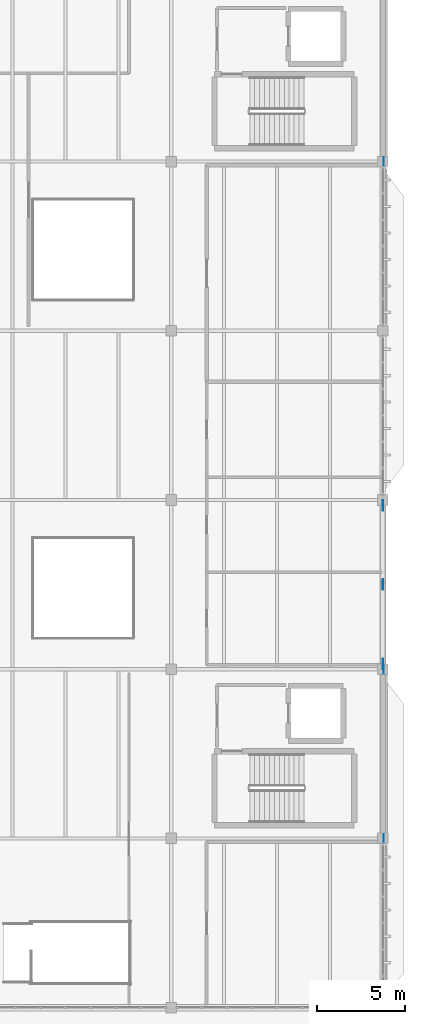
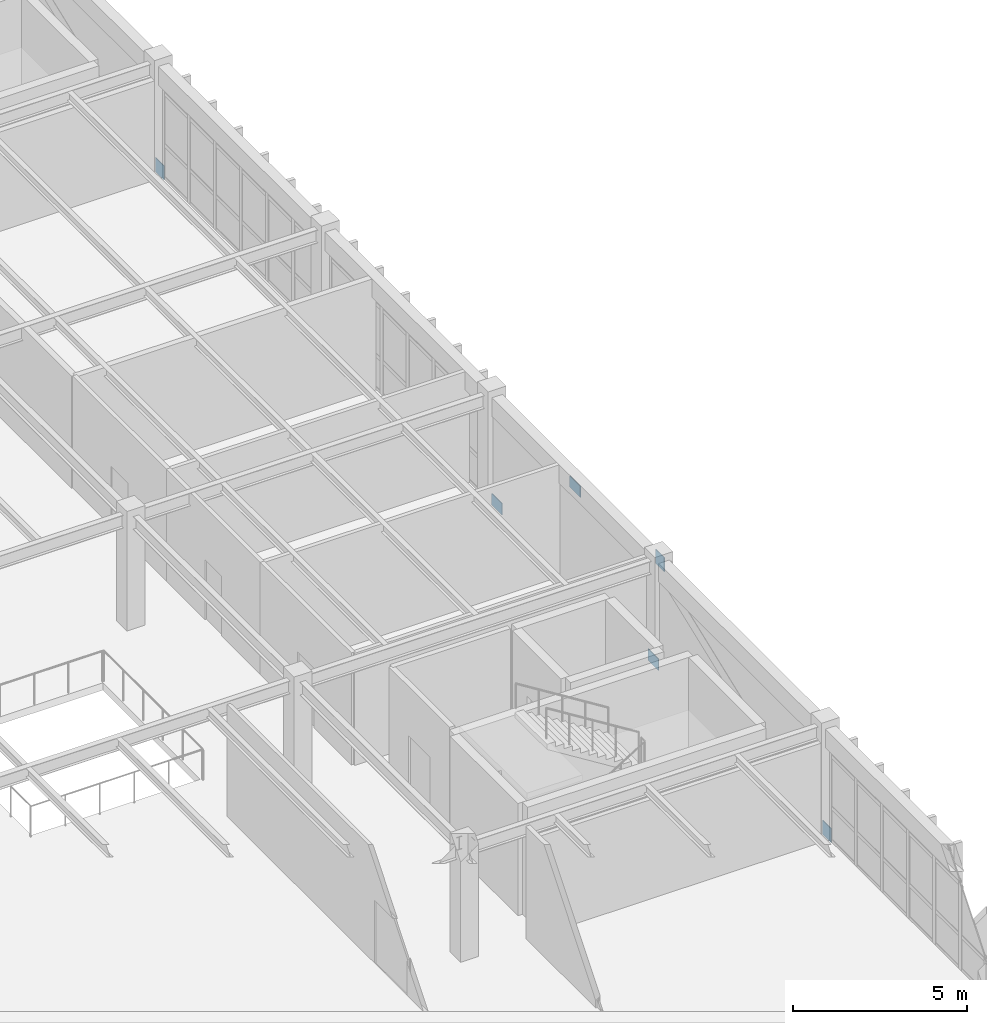
# One storey, part 70 of 83: 6 plates.
"""IFC4 building model written with IfcOpenShell, lengths in metres."""

from ifc_helpers import new_model, si_unit, direction, frame, origin, origin_2d, place, context, subcontext, project, spatial, rectangle, extrude, material, layer, layer_set, type_object, element, save


model = new_model("IFC4")

# Units and contexts
model_context = context("Model", 3, precision=1e-05, world=origin(), true_north=direction((0.0, 1.0)))
body_context = subcontext(model_context, "Body", "Model", "MODEL_VIEW")
ifc_project = project(units=[si_unit("LENGTHUNIT", "METRE"), si_unit("AREAUNIT", "SQUARE_METRE"), si_unit("VOLUMEUNIT", "CUBIC_METRE"), si_unit("PLANEANGLEUNIT", "RADIAN"), si_unit("MASSUNIT", "GRAM", prefix="KILO")], contexts=[model_context])

# Site, building, storey
site_placement = place(None, origin())
site = spatial("IfcSite", under=ifc_project, at=site_placement, CompositionType="ELEMENT")
building_placement = place(site_placement, origin())
building = spatial("IfcBuilding", under=site, at=building_placement, Name="Pandanus Reach Market Hall", CompositionType="ELEMENT")
storey_placement = place(building_placement, frame((0.0, 0.0, 10.199951171875)))
storey = spatial("IfcBuildingStorey", under=building, at=storey_placement, Name="L02", CompositionType="ELEMENT", Elevation=10.199951171875)

# Plates
ifc_material = material(Name="Steel Grade 350 (350 MPa)", Category="steel")
ifc_layer_1 = layer(ifc_material, 0.02001953125, Name="GS-PL20")
ifc_layer_set_1 = layer_set([ifc_layer_1], Name="Steel Grade 350 (350 MPa)")
plate_type_1 = type_object("IfcPlateType", Name="GS-PL20", PredefinedType="SHEET", material=ifc_layer_set_1)
for number, where, z_axis, x_axis, name in (
    (1, (180.050048828125, 28.800048828125, -0.14990234375), (0.0, 0.0, 1.0), (1.0, 0.0, 0.0), "Diagrid rib end anchorage plate GS-PL20 3A"),
    (2, (180.050048828125, 38.39990234375, 3.550048828125), (0.0, 0.0, 1.0), (1.0, 0.0, 0.0), "Diagrid rib end anchorage plate GS-PL20 3B"),
    (3, (180.050048828125, 67.199951171875, -0.14990234375), (0.0, 0.0, 1.0), (1.0, 0.0, 0.0), "Diagrid rib end anchorage plate GS-PL20 4A"),
):
    element("IfcPlate", number, at=place(storey_placement, frame(where, z_axis=z_axis, x_axis=x_axis)), inside=storey, type_object=plate_type_1, Name=name, PredefinedType="SHEET", context=body_context, shape_type="SweptSolid", body=[
        extrude(rectangle(XDim=0.02001953125, YDim=0.5, at=origin_2d()), origin(), (0.0, 0.0, 1.0), 0.5),
    ])
ifc_layer_2 = layer(ifc_material, 0.02392578125, Name="GS-PL24")
ifc_layer_set_2 = layer_set([ifc_layer_2], Name="Steel Grade 350 (350 MPa)")
plate_type_2 = type_object("IfcPlateType", Name="GS-PL24", PredefinedType="SHEET", material=ifc_layer_set_2)
for number, where, z_axis, x_axis, name in (
    (4, (180.0, 38.699951171875, -0.0498046875), (0.0, 0.0, 1.0), (0.0, 1.0, 0.0), "Brace gusset plate GS-PL24 14L"),
    (5, (180.0, 43.199951171875, 3.300048828125), (0.0, 0.0, 1.0), (0.0, 1.0, 0.0), "Brace gusset plate GS-PL24 14M"),
    (6, (180.0, 47.699951171875, -0.0498046875), (0.0, 0.0, 1.0), (0.0, 1.0, 0.0), "Brace gusset plate GS-PL24 14R"),
):
    element("IfcPlate", number, at=place(storey_placement, frame(where, z_axis=z_axis, x_axis=x_axis)), inside=storey, type_object=plate_type_2, Name=name, PredefinedType="SHEET", context=body_context, shape_type="SweptSolid", body=[
        extrude(rectangle(XDim=0.60009765625, YDim=0.02392578125, at=origin_2d()), origin(), (0.0, 0.0, 1.0), 0.39990234375),
    ])

save(model, "model.ifc")
